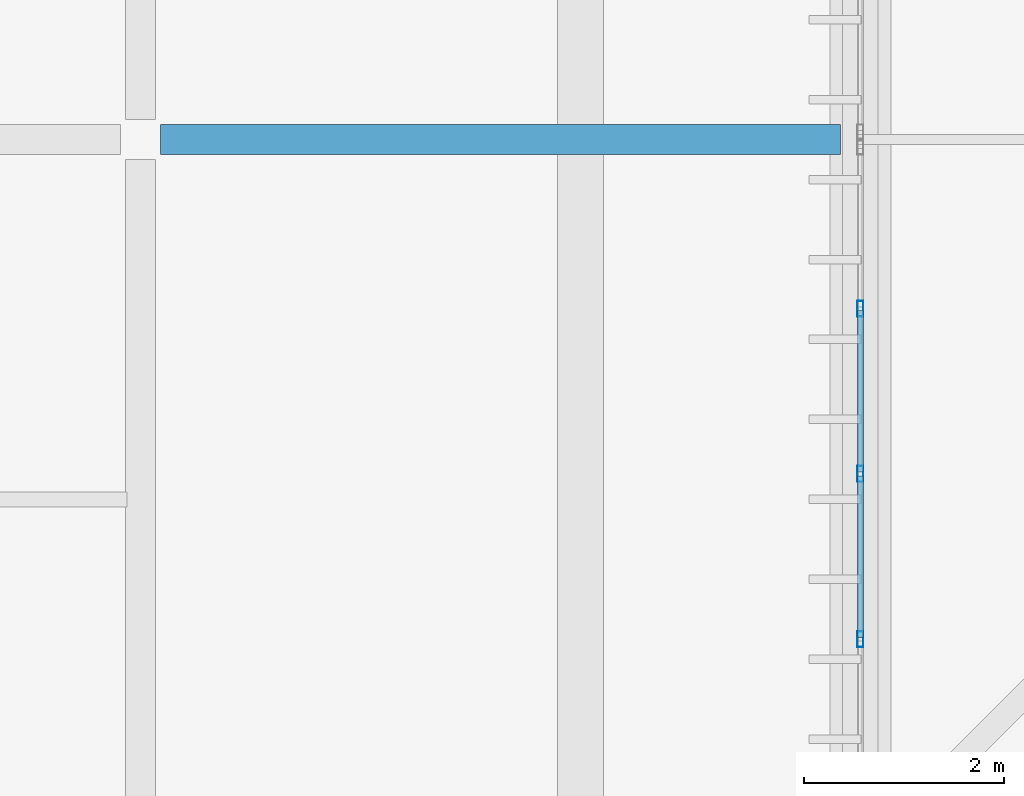
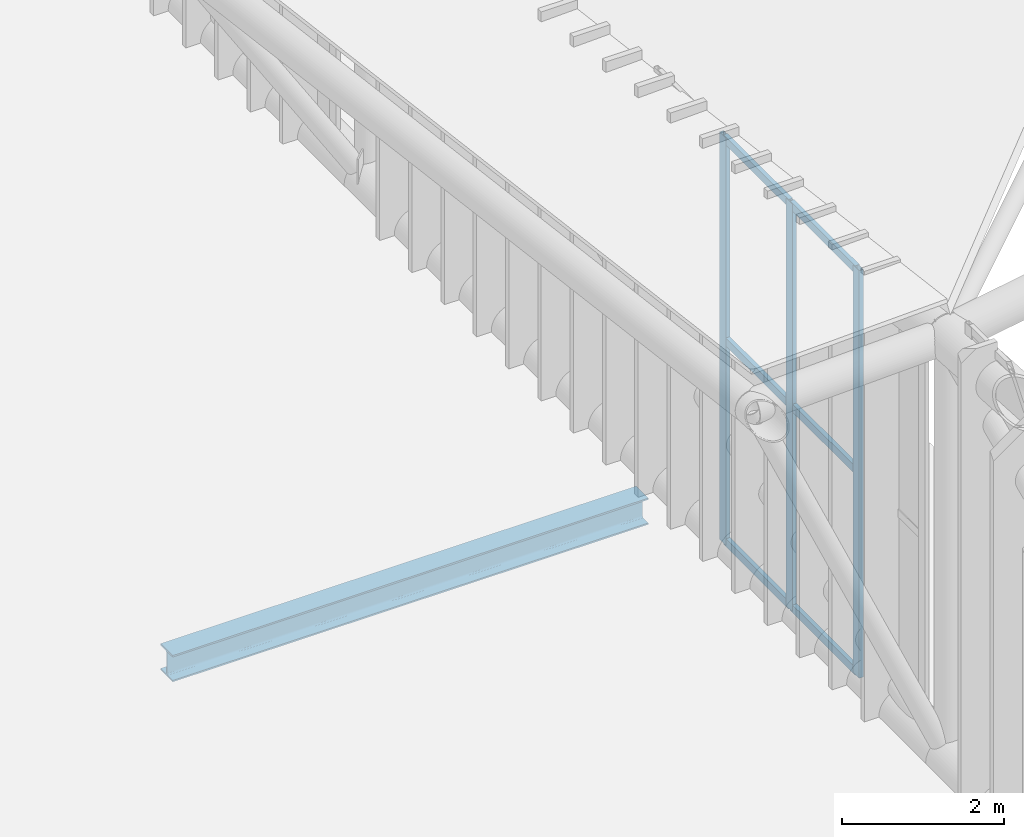
# One storey, part 193 of 397: 9 members, 1 beam, 1 element without a shape of its own.
"""IFC4 building model written with IfcOpenShell, lengths in metres."""

from ifc_helpers import new_model, si_unit, direction, frame, origin, origin_2d, place, context, subcontext, project, spatial, hollow_rectangle, i_section, extrude, material, material_profile, profile_set, type_object, element, aggregate, save


model = new_model("IFC4")

# Units and contexts
model_context = context("Model", 3, precision=1e-05, world=origin(), true_north=direction((0.0, 1.0)))
body_context = subcontext(model_context, "Body", "Model", "MODEL_VIEW")
ifc_project = project(units=[si_unit("LENGTHUNIT", "METRE"), si_unit("AREAUNIT", "SQUARE_METRE"), si_unit("VOLUMEUNIT", "CUBIC_METRE"), si_unit("PLANEANGLEUNIT", "RADIAN"), si_unit("MASSUNIT", "GRAM", prefix="KILO")], contexts=[model_context])

# Site, building, storey
site_placement = place(None, origin())
site = spatial("IfcSite", under=ifc_project, at=site_placement, CompositionType="ELEMENT")
building_placement = place(site_placement, origin())
building = spatial("IfcBuilding", under=site, at=building_placement, Name="Qandorah Velis Arena", CompositionType="ELEMENT")
storey_placement = place(building_placement, frame((0.0, 0.0, 27.5)))
storey = spatial("IfcBuildingStorey", under=building, at=storey_placement, Name="RF", CompositionType="ELEMENT", Elevation=27.5)

# Curtain wall, members
ifc_material_1 = material(Name="Solar-control low-E double glazing", Category="glass")
curtain_wall_type = type_object("IfcCurtainWallType", Name="ARC-CW-SYS06", PredefinedType="USERDEFINED", material=ifc_material_1)
curtain_wall_placement = place(storey_placement, origin())
curtain_wall = element("IfcCurtainWall", 1, at=curtain_wall_placement, inside=storey, type_object=curtain_wall_type, Name="Unitised curtain wall CROWN-1-06S1", ObjectType="UNITISED CURTAIN WALL", PredefinedType="USERDEFINED")
ifc_material_2 = material(Name="Champagne-bronze anodized aluminium 6063-T6", Category="aluminium")
ifc_material_profile_1 = material_profile(ifc_material_2, hollow_rectangle(XDim=0.06005859375, YDim=0.159912109375, WallThickness=0.00341796875, at=origin_2d()), Name="ALU MULLION 60x160")
ifc_profile_set_1 = profile_set([ifc_material_profile_1], Name="Champagne-bronze anodized aluminium 6063-T6")
member_type_1 = type_object("IfcMemberType", Name="ARC-CWM-160", PredefinedType="MULLION", material=ifc_profile_set_1)
member_1_placement = place(storey_placement, frame((14.39990234375, 88.6025390625, -0.014892578125), z_axis=(0.0, 0.0, 1.0), x_axis=(-1.0, 0.0, 0.0)))
member_1 = element("IfcMember", 2, at=member_1_placement, type_object=member_type_1, Name="CW06 mullion 2", PredefinedType="MULLION", context=body_context, shape_type="SweptSolid", body=[
    extrude(hollow_rectangle(XDim=0.06005859375, YDim=0.159912109375, WallThickness=0.00341796875, at=origin_2d()), origin(), (0.0, 0.0, 1.0), 6.159423828125),
])
member_2_placement = place(storey_placement, frame((14.39990234375, 90.2548828125, -0.014892578125), z_axis=(0.0, 0.0, 1.0), x_axis=(-1.0, 0.0, 0.0)))
member_2 = element("IfcMember", 3, at=member_2_placement, type_object=member_type_1, Name="CW06 mullion 3", PredefinedType="MULLION", context=body_context, shape_type="SweptSolid", body=[
    extrude(hollow_rectangle(XDim=0.06005859375, YDim=0.159912109375, WallThickness=0.00341796875, at=origin_2d()), origin(), (0.0, 0.0, 1.0), 6.159423828125),
])
member_3_placement = place(storey_placement, frame((14.39990234375, 91.907470703125, -0.014892578125), z_axis=(0.0, 0.0, 1.0), x_axis=(-1.0, 0.0, 0.0)))
member_3 = element("IfcMember", 4, at=member_3_placement, type_object=member_type_1, Name="CW06 mullion 4", PredefinedType="MULLION", context=body_context, shape_type="SweptSolid", body=[
    extrude(hollow_rectangle(XDim=0.06005859375, YDim=0.159912109375, WallThickness=0.00341796875, at=origin_2d()), origin(), (0.0, 0.0, 1.0), 6.159423828125),
])
ifc_material_profile_2 = material_profile(ifc_material_2, hollow_rectangle(XDim=0.06005859375, YDim=0.1201171875, WallThickness=0.0029296875, at=origin_2d()), Name="ALU TRANSOM 60x120")
ifc_profile_set_2 = profile_set([ifc_material_profile_2], Name="Champagne-bronze anodized aluminium 6063-T6")
member_type_2 = type_object("IfcMemberType", Name="ARC-CWT-120", PredefinedType="USERDEFINED", material=ifc_profile_set_2)
member_4_placement = place(storey_placement, frame((14.39990234375, 88.62060546875, 0.030029296875), z_axis=(0.0, 1.0, 0.0), x_axis=(-1.0, 0.0, 0.0)))
member_4 = element("IfcMember", 5, at=member_4_placement, type_object=member_type_2, Name="CW06 transom 2.1", ObjectType="TRANSOM", PredefinedType="USERDEFINED", context=body_context, shape_type="SweptSolid", body=[
    extrude(hollow_rectangle(XDim=0.06005859375, YDim=0.1201171875, WallThickness=0.0029296875, at=origin_2d()), origin(), (0.0, 0.0, 1.0), 1.616455078125),
])
member_5_placement = place(storey_placement, frame((14.39990234375, 88.62060546875, 3.064697265625), z_axis=(0.0, 1.0, 0.0), x_axis=(-1.0, 0.0, 0.0)))
member_5 = element("IfcMember", 6, at=member_5_placement, type_object=member_type_2, Name="CW06 transom 2.2", ObjectType="TRANSOM", PredefinedType="USERDEFINED", context=body_context, shape_type="SweptSolid", body=[
    extrude(hollow_rectangle(XDim=0.06005859375, YDim=0.1201171875, WallThickness=0.0029296875, at=origin_2d()), origin(), (0.0, 0.0, 1.0), 1.616455078125),
])
member_6_placement = place(storey_placement, frame((14.39990234375, 88.62060546875, 6.099609375), z_axis=(0.0, 1.0, 0.0), x_axis=(-1.0, 0.0, 0.0)))
member_6 = element("IfcMember", 7, at=member_6_placement, type_object=member_type_2, Name="CW06 transom 2.3", ObjectType="TRANSOM", PredefinedType="USERDEFINED", context=body_context, shape_type="SweptSolid", body=[
    extrude(hollow_rectangle(XDim=0.06005859375, YDim=0.1201171875, WallThickness=0.0029296875, at=origin_2d()), origin(), (0.0, 0.0, 1.0), 1.616455078125),
])
member_7_placement = place(storey_placement, frame((14.39990234375, 90.27294921875, 0.030029296875), z_axis=(0.0, 1.0, 0.0), x_axis=(-1.0, 0.0, 0.0)))
member_7 = element("IfcMember", 8, at=member_7_placement, type_object=member_type_2, Name="CW06 transom 3.1", ObjectType="TRANSOM", PredefinedType="USERDEFINED", context=body_context, shape_type="SweptSolid", body=[
    extrude(hollow_rectangle(XDim=0.06005859375, YDim=0.1201171875, WallThickness=0.0029296875, at=origin_2d()), origin(), (0.0, 0.0, 1.0), 1.616455078125),
])
member_8_placement = place(storey_placement, frame((14.39990234375, 90.27294921875, 3.064697265625), z_axis=(0.0, 1.0, 0.0), x_axis=(-1.0, 0.0, 0.0)))
member_8 = element("IfcMember", 9, at=member_8_placement, type_object=member_type_2, Name="CW06 transom 3.2", ObjectType="TRANSOM", PredefinedType="USERDEFINED", context=body_context, shape_type="SweptSolid", body=[
    extrude(hollow_rectangle(XDim=0.06005859375, YDim=0.1201171875, WallThickness=0.0029296875, at=origin_2d()), origin(), (0.0, 0.0, 1.0), 1.616455078125),
])
member_9_placement = place(storey_placement, frame((14.39990234375, 90.27294921875, 6.099609375), z_axis=(0.0, 1.0, 0.0), x_axis=(-1.0, 0.0, 0.0)))
member_9 = element("IfcMember", 10, at=member_9_placement, type_object=member_type_2, Name="CW06 transom 3.3", ObjectType="TRANSOM", PredefinedType="USERDEFINED", context=body_context, shape_type="SweptSolid", body=[
    extrude(hollow_rectangle(XDim=0.06005859375, YDim=0.1201171875, WallThickness=0.0029296875, at=origin_2d()), origin(), (0.0, 0.0, 1.0), 1.616455078125),
])
aggregate(curtain_wall, [member_1, member_2, member_3, member_4, member_5, member_6, member_7, member_8, member_9])

# Beam
ifc_material_3 = material(Name="Steel S355", Category="steel")
ifc_material_profile_3 = material_profile(ifc_material_3, i_section(OverallWidth=0.300048828125, OverallDepth=0.39990234375, WebThickness=0.013427734375, FlangeThickness=0.02392578125, FilletRadius=0.027099609375, at=origin_2d()), Name="HEB 400")
ifc_profile_set_3 = profile_set([ifc_material_profile_3], Name="Steel S355")
beam_type = type_object("IfcBeamType", Name="STR-BM-HEB400", PredefinedType="BEAM", material=ifc_profile_set_3)
beam_placement = place(storey_placement, frame((7.39990234375, 93.60009765625, -0.419921875), z_axis=(1.0, 0.0, 0.0), x_axis=(0.0, 1.0, 0.0)))
element("IfcBeam", 11, at=beam_placement, inside=storey, type_object=beam_type, Name="Primary floor girder RF X-040", PredefinedType="BEAM", context=body_context, shape_type="SweptSolid", body=[
    extrude(i_section(OverallWidth=0.300048828125, OverallDepth=0.39990234375, WebThickness=0.013427734375, FlangeThickness=0.02392578125, FilletRadius=0.027099609375, at=origin_2d()), origin(), (0.0, 0.0, 1.0), 6.800048828125),
])

save(model, "model.ifc")
